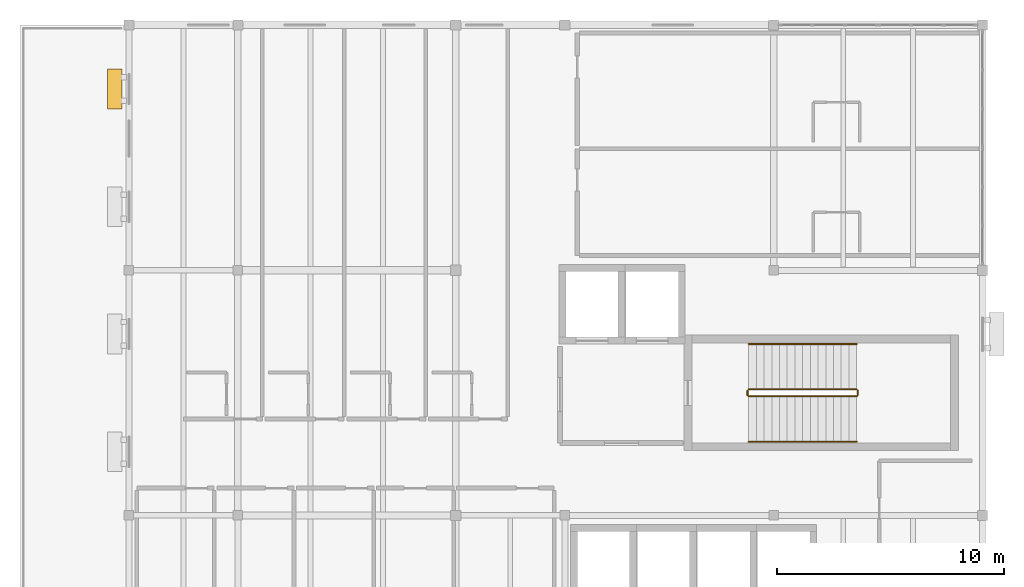
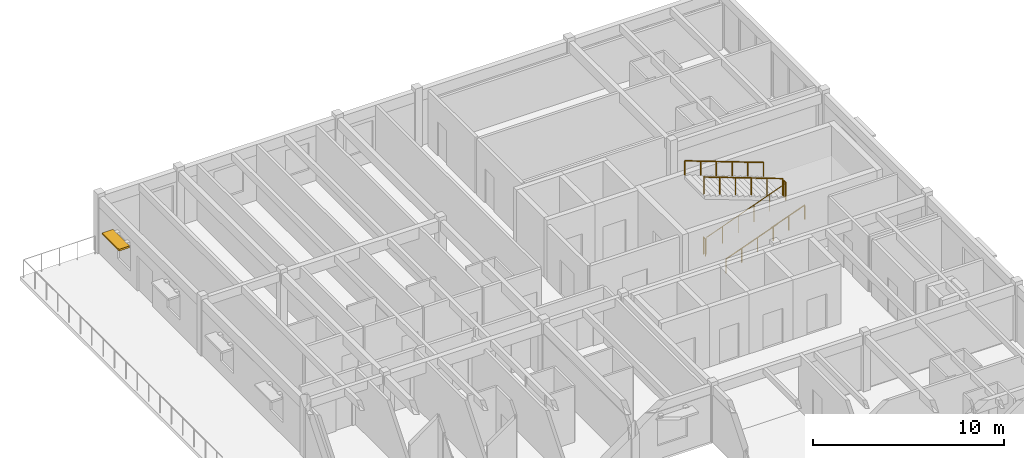
# One storey, part 14 of 15: 6 railings, 1 shading device.
"""IFC4 building model written with IfcOpenShell, lengths in metres."""

from ifc_helpers import new_model, si_unit, direction, frame, origin, origin_2d, place, context, subcontext, project, spatial, rectangle, circle, extrude, material, type_object, element, save


model = new_model("IFC4")

# Units and contexts
model_context = context("Model", 3, precision=1e-05, world=origin(), true_north=direction((0.0, 1.0)))
body_context = subcontext(model_context, "Body", "Model", "MODEL_VIEW")
ifc_project = project(units=[si_unit("LENGTHUNIT", "METRE"), si_unit("AREAUNIT", "SQUARE_METRE"), si_unit("VOLUMEUNIT", "CUBIC_METRE"), si_unit("PLANEANGLEUNIT", "RADIAN"), si_unit("MASSUNIT", "GRAM", prefix="KILO")], contexts=[model_context])

# Site, building, storey
site_placement = place(None, origin())
site = spatial("IfcSite", under=ifc_project, at=site_placement, CompositionType="ELEMENT")
building_placement = place(site_placement, origin())
building = spatial("IfcBuilding", under=site, at=building_placement, Name="Veldera Park Congress Hotel", CompositionType="ELEMENT")
storey_placement = place(building_placement, frame((0.0, 0.0, 39.0)))
storey = spatial("IfcBuildingStorey", under=building, at=storey_placement, Name="L09", CompositionType="ELEMENT", Elevation=39.0)

# Railings
ifc_material_1 = material(Name="Steel ASTM A992 Gr.50", Category="steel")
railing_type_1 = type_object("IfcRailingType", Name="GRD-ST110", PredefinedType="GUARDRAIL", material=ifc_material_1)
railing_1_placement = place(storey_placement, frame((73.699951171875, 41.64990234375, 0.126708984375)))
element("IfcRailing", 1, at=railing_1_placement, inside=storey, type_object=railing_type_1, Name="L09 ST1 stair guard 1", PredefinedType="GUARDRAIL", context=body_context, shape_type="SweptSolid", body=[
    extrude(circle(Radius=0.02392578125, at=origin_2d()), frame((0.0, 0.0, 1.076171875), z_axis=(0.937091363699, 0.0, 0.349084196263), x_axis=(0.0, 1.0, 0.0)), (0.0, 0.0, 1.0), 5.07958984375),
    extrude(circle(Radius=0.02099609375, at=origin_2d()), origin(), (0.0, 0.0, 1.0), 1.052001953125),
    extrude(circle(Radius=0.02099609375, at=origin_2d()), frame((0.951904296875, 0.0, 0.354736328125)), (0.0, 0.0, 1.0), 1.052001953125),
    extrude(circle(Radius=0.02099609375, at=origin_2d()), frame((1.904052734375, 0.0, 0.709228515625)), (0.0, 0.0, 1.0), 1.052001953125),
    extrude(circle(Radius=0.02099609375, at=origin_2d()), frame((2.85595703125, 0.0, 1.06396484375)), (0.0, 0.0, 1.0), 1.052001953125),
    extrude(circle(Radius=0.02099609375, at=origin_2d()), frame((3.80810546875, 0.0, 1.41845703125)), (0.0, 0.0, 1.0), 1.052001953125),
    extrude(circle(Radius=0.02099609375, at=origin_2d()), frame((4.760009765625, 0.0, 1.773193359375)), (0.0, 0.0, 1.0), 1.052001953125),
])
railing_2_placement = place(storey_placement, frame((78.510009765625, 41.699951171875, 1.89990234375)))
element("IfcRailing", 2, at=railing_2_placement, inside=storey, type_object=railing_type_1, Name="L09 ST1 stair guard 2", PredefinedType="GUARDRAIL", context=body_context, shape_type="SweptSolid", body=[
    extrude(circle(Radius=0.02392578125, at=origin_2d()), frame((0.0, 0.0, 1.076171875), z_axis=(0.0, 1.0, 0.0), x_axis=(-1.0, 0.0, 0.0)), (0.0, 0.0, 1.0), 0.199951171875),
    extrude(circle(Radius=0.02099609375, at=origin_2d()), origin(), (0.0, 0.0, 1.0), 1.052001953125),
    extrude(circle(Radius=0.02099609375, at=origin_2d()), frame((0.0, 0.199951171875, 0.0)), (0.0, 0.0, 1.0), 1.052001953125),
])
railing_3_placement = place(storey_placement, frame((78.4599609375, 41.949951171875, 2.026611328125)))
element("IfcRailing", 3, at=railing_3_placement, inside=storey, type_object=railing_type_1, Name="L09 ST1 stair guard 3", PredefinedType="GUARDRAIL", context=body_context, shape_type="SweptSolid", body=[
    extrude(circle(Radius=0.02392578125, at=origin_2d()), frame((0.0, 0.0, 1.076171875), z_axis=(-0.937075640343, 0.0, 0.349126401572), x_axis=(0.0, -1.0, 0.0)), (0.0, 0.0, 1.0), 5.07958984375),
    extrude(circle(Radius=0.02099609375, at=origin_2d()), origin(), (0.0, 0.0, 1.0), 1.052001953125),
    extrude(circle(Radius=0.02099609375, at=origin_2d()), frame((-0.951904296875, 0.0, 0.354736328125)), (0.0, 0.0, 1.0), 1.052001953125),
    extrude(circle(Radius=0.02099609375, at=origin_2d()), frame((-1.904052734375, 0.0, 0.70947265625)), (0.0, 0.0, 1.0), 1.052001953125),
    extrude(circle(Radius=0.02099609375, at=origin_2d()), frame((-2.85595703125, 0.0, 1.06396484375)), (0.0, 0.0, 1.0), 1.052001953125),
    extrude(circle(Radius=0.02099609375, at=origin_2d()), frame((-3.80810546875, 0.0, 1.418701171875)), (0.0, 0.0, 1.0), 1.052001953125),
    extrude(circle(Radius=0.02099609375, at=origin_2d()), frame((-4.760009765625, 0.0, 1.7734375)), (0.0, 0.0, 1.0), 1.052001953125),
])
railing_4_placement = place(storey_placement, frame((73.64990234375, 41.699951171875, 0.0)))
element("IfcRailing", 4, at=railing_4_placement, inside=storey, type_object=railing_type_1, Name="L09 ST1 stair guard 4", PredefinedType="GUARDRAIL", context=body_context, shape_type="SweptSolid", body=[
    extrude(circle(Radius=0.02392578125, at=origin_2d()), frame((0.0, 0.0, 1.076171875), z_axis=(0.0, 1.0, 0.0), x_axis=(-1.0, 0.0, 0.0)), (0.0, 0.0, 1.0), 0.199951171875),
    extrude(circle(Radius=0.02099609375, at=origin_2d()), origin(), (0.0, 0.0, 1.0), 1.052001953125),
    extrude(circle(Radius=0.02099609375, at=origin_2d()), frame((0.0, 0.199951171875, 0.0)), (0.0, 0.0, 1.0), 1.052001953125),
])
railing_type_2 = type_object("IfcRailingType", Name="HRL-920", PredefinedType="HANDRAIL", material=ifc_material_1)
railing_5_placement = place(storey_placement, frame((73.699951171875, 39.64990234375, 0.126708984375)))
element("IfcRailing", 5, at=railing_5_placement, inside=storey, type_object=railing_type_2, Name="L09 ST1 stair handrail 1", PredefinedType="HANDRAIL", context=body_context, shape_type="SweptSolid", body=[
    extrude(circle(Radius=0.02392578125, at=origin_2d()), frame((0.0, 0.0, 0.89599609375), z_axis=(0.937091363699, 0.0, 0.349084196263), x_axis=(0.0, 1.0, 0.0)), (0.0, 0.0, 1.0), 5.07958984375),
    extrude(circle(Radius=0.02099609375, at=origin_2d()), origin(), (0.0, 0.0, 1.0), 0.871826171875),
    extrude(circle(Radius=0.02099609375, at=origin_2d()), frame((0.951904296875, 0.0, 0.354736328125)), (0.0, 0.0, 1.0), 0.871826171875),
    extrude(circle(Radius=0.02099609375, at=origin_2d()), frame((1.904052734375, 0.0, 0.709228515625)), (0.0, 0.0, 1.0), 0.871826171875),
    extrude(circle(Radius=0.02099609375, at=origin_2d()), frame((2.85595703125, 0.0, 1.06396484375)), (0.0, 0.0, 1.0), 0.871826171875),
    extrude(circle(Radius=0.02099609375, at=origin_2d()), frame((3.80810546875, 0.0, 1.41845703125)), (0.0, 0.0, 1.0), 0.871826171875),
    extrude(circle(Radius=0.02099609375, at=origin_2d()), frame((4.760009765625, 0.0, 1.773193359375)), (0.0, 0.0, 1.0), 0.871826171875),
])
railing_6_placement = place(storey_placement, frame((78.4599609375, 43.949951171875, 2.026611328125)))
element("IfcRailing", 6, at=railing_6_placement, inside=storey, type_object=railing_type_2, Name="L09 ST1 stair handrail 2", PredefinedType="HANDRAIL", context=body_context, shape_type="SweptSolid", body=[
    extrude(circle(Radius=0.02392578125, at=origin_2d()), frame((0.0, 0.0, 0.89599609375), z_axis=(-0.937075640343, 0.0, 0.349126401572), x_axis=(0.0, -1.0, 0.0)), (0.0, 0.0, 1.0), 5.07958984375),
    extrude(circle(Radius=0.02099609375, at=origin_2d()), origin(), (0.0, 0.0, 1.0), 0.871826171875),
    extrude(circle(Radius=0.02099609375, at=origin_2d()), frame((-0.951904296875, 0.0, 0.354736328125)), (0.0, 0.0, 1.0), 0.871826171875),
    extrude(circle(Radius=0.02099609375, at=origin_2d()), frame((-1.904052734375, 0.0, 0.70947265625)), (0.0, 0.0, 1.0), 0.871826171875),
    extrude(circle(Radius=0.02099609375, at=origin_2d()), frame((-2.85595703125, 0.0, 1.06396484375)), (0.0, 0.0, 1.0), 0.871826171875),
    extrude(circle(Radius=0.02099609375, at=origin_2d()), frame((-3.80810546875, 0.0, 1.418701171875)), (0.0, 0.0, 1.0), 0.871826171875),
    extrude(circle(Radius=0.02099609375, at=origin_2d()), frame((-4.760009765625, 0.0, 1.7734375)), (0.0, 0.0, 1.0), 0.871826171875),
])

# Shading device
ifc_material_2 = material(Name="Glulam GL28h (NDS 24F-V4)", Category="wood")
shading_device_type = type_object("IfcShadingDeviceType", Name="SHD-LVR300", PredefinedType="JALOUSIE", material=ifc_material_2)
shading_device_placement = place(storey_placement, frame((45.77490234375, 55.184814453125, 2.52001953125), z_axis=(0.0, 0.0, 1.0), x_axis=(0.0, -1.0, 0.0)))
element("IfcShadingDevice", 7, at=shading_device_placement, inside=storey, type_object=shading_device_type, Name="Glulam Solar Shade 238", PredefinedType="JALOUSIE", context=body_context, shape_type="SweptSolid", body=[
    extrude(rectangle(XDim=1.75, YDim=0.64990234375, at=origin_2d()), origin(), (0.0, 0.0, 1.0), 0.1201171875),
])

save(model, "model.ifc")
